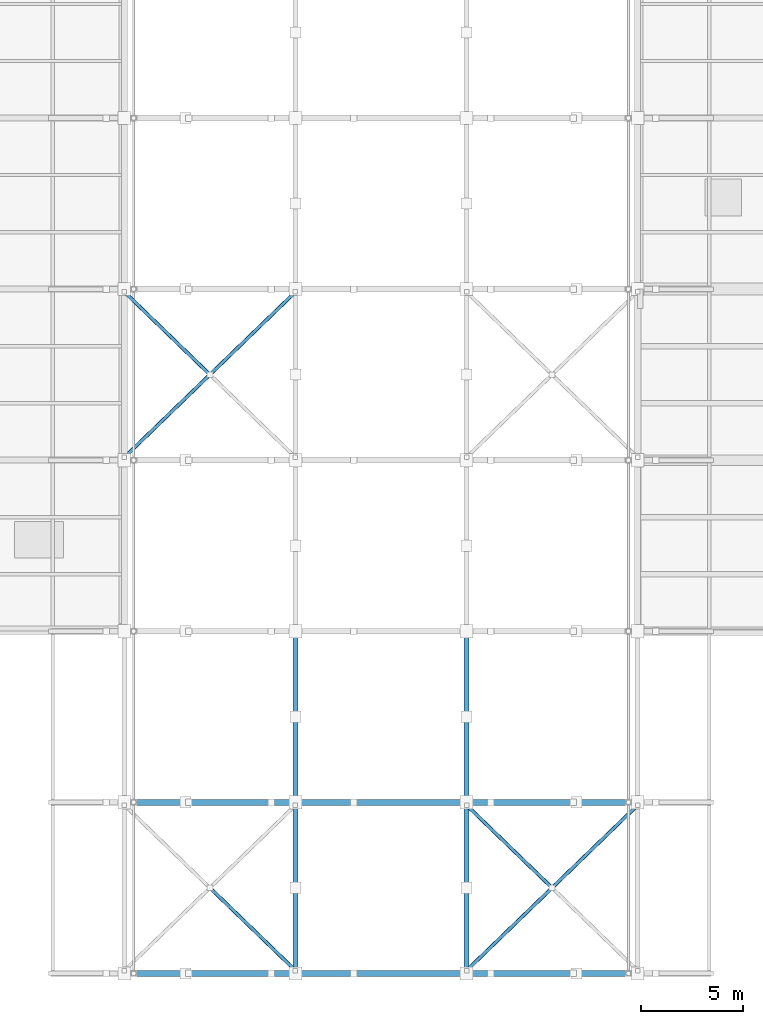
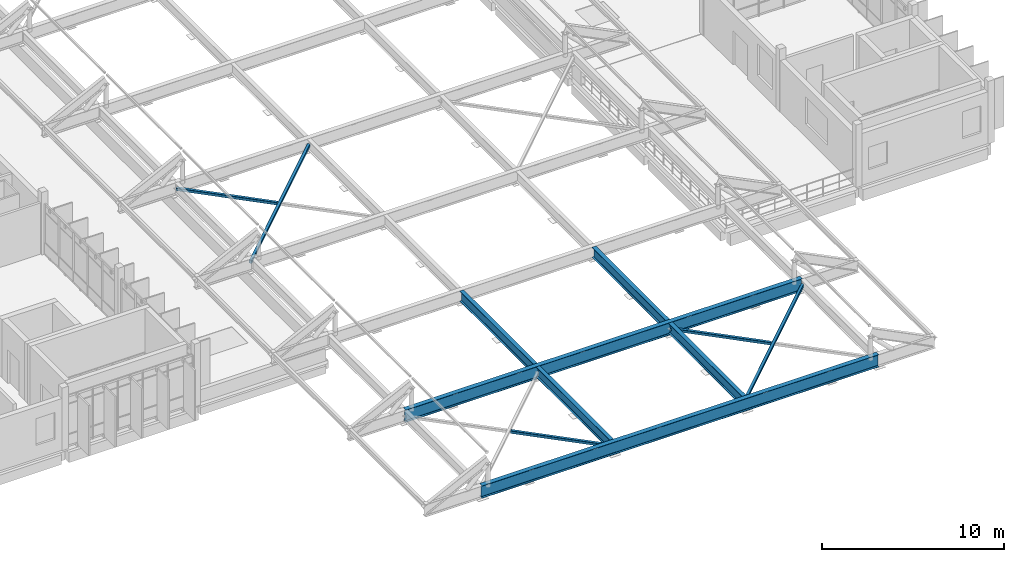
# One storey, part 8 of 41: 6 beams, 5 members.
"""IFC4 building model written with IfcOpenShell, lengths in metres."""

from ifc_helpers import new_model, si_unit, direction, frame, origin, origin_2d, place, context, subcontext, project, spatial, hollow_rectangle, i_section, extrude, material, material_profile, profile_set, type_object, element, save


model = new_model("IFC4")

# Units and contexts
model_context = context("Model", 3, precision=1e-05, world=origin(), true_north=direction((0.0, 1.0)))
body_context = subcontext(model_context, "Body", "Model", "MODEL_VIEW")
ifc_project = project(units=[si_unit("LENGTHUNIT", "METRE"), si_unit("AREAUNIT", "SQUARE_METRE"), si_unit("VOLUMEUNIT", "CUBIC_METRE"), si_unit("PLANEANGLEUNIT", "RADIAN"), si_unit("MASSUNIT", "GRAM", prefix="KILO")], contexts=[model_context])

# Site, building, storey
site_placement = place(None, origin())
site = spatial("IfcSite", under=ifc_project, at=site_placement, CompositionType="ELEMENT")
building_placement = place(site_placement, origin())
building = spatial("IfcBuilding", under=site, at=building_placement, Name="Vireocrest Preparatory School", CompositionType="ELEMENT")
storey_placement = place(building_placement, frame((0.0, 0.0, 21.60009765625)))
storey = spatial("IfcBuildingStorey", under=building, at=storey_placement, Name="L05", CompositionType="ELEMENT", Elevation=21.60009765625)

# Beams
ifc_material_1 = material(Name="Structural steel ASTM A992 Grade 50", Category="steel")
ifc_material_profile_1 = material_profile(ifc_material_1, i_section(OverallWidth=0.25390625, OverallDepth=0.68408203125, WebThickness=0.012451171875, FlangeThickness=0.018798828125, FilletRadius=0.01806640625, at=origin_2d()), Name="W27X94")
ifc_profile_set_1 = profile_set([ifc_material_profile_1], Name="Structural steel ASTM A992 Grade 50")
beam_type_1 = type_object("IfcBeamType", Name="Bridge Primary Steel Girder W27X94", PredefinedType="BEAM", material=ifc_profile_set_1)
for number, where, z_axis, x_axis, name in (
    (1, (75.60009765625, 27.14404296875, 1.492919921875), (0.0, 1.0, 0.0), (-1.0, 0.0, 0.0), "Canopy Longitudinal Beam WT-1"),
    (2, (84.0, 27.14404296875, 1.492919921875), (0.0, 1.0, 0.0), (-1.0, 0.0, 0.0), "Canopy Longitudinal Beam ET-1"),
    (3, (75.60009765625, 35.5439453125, 1.492919921875), (0.0, 1.0, 0.0), (-1.0, 0.0, 0.0), "Canopy Longitudinal Beam WT-2"),
    (4, (84.0, 35.5439453125, 1.492919921875), (0.0, 1.0, 0.0), (-1.0, 0.0, 0.0), "Canopy Longitudinal Beam ET-2"),
):
    element("IfcBeam", number, at=place(storey_placement, frame(where, z_axis=z_axis, x_axis=x_axis)), inside=storey, type_object=beam_type_1, Name=name, PredefinedType="BEAM", context=body_context, shape_type="SweptSolid", body=[
        extrude(i_section(OverallWidth=0.25390625, OverallDepth=0.68408203125, WebThickness=0.012451171875, FlangeThickness=0.018798828125, FilletRadius=0.01806640625, at=origin_2d()), origin(), (0.0, 0.0, 1.0), 8.112060546875),
    ])

# Members
ifc_material_2 = material(Name="Painted white steel ASTM A500 Grade C", Category="steel")
ifc_material_profile_2 = material_profile(ifc_material_2, hollow_rectangle(XDim=0.177734375, YDim=0.177734375, WallThickness=0.0087890625, InnerFilletRadius=0.0087890625, OuterFilletRadius=0.017822265625, at=origin_2d()), Name="HSS7X7X3/8")
ifc_profile_set_2 = profile_set([ifc_material_profile_2], Name="Painted white steel ASTM A500 Grade C")
member_type = type_object("IfcMemberType", Name="Canopy Plane Wind Brace HSS7X7X3/8", PredefinedType="BRACE", material=ifc_profile_set_2)
member_1_placement = place(storey_placement, frame((71.486328125, 31.11669921875, 1.41748046875), z_axis=(0.718974161038, -0.69503680173, 0.0), x_axis=(0.69503680173, 0.718974161038, 0.0)))
element("IfcMember", 5, at=member_1_placement, inside=storey, type_object=member_type, Name="Canopy Split Wind X-Brace BR2-1-W-2", PredefinedType="BRACE", context=body_context, shape_type="SweptSolid", body=[
    extrude(hollow_rectangle(XDim=0.177734375, YDim=0.177734375, WallThickness=0.0087890625, InnerFilletRadius=0.0087890625, OuterFilletRadius=0.017822265625, at=origin_2d()), origin(), (0.0, 0.0, 1.0), 5.7216796875),
])
member_2_placement = place(storey_placement, frame((84.0, 27.139892578125, 1.41748046875), z_axis=(0.718979325859, 0.695031458991, 0.0), x_axis=(-0.695031458991, 0.718979325859, 0.0)))
element("IfcMember", 6, at=member_2_placement, inside=storey, type_object=member_type, Name="Canopy Wind Brace BR2-1-E", PredefinedType="BRACE", context=body_context, shape_type="SweptSolid", body=[
    extrude(hollow_rectangle(XDim=0.177734375, YDim=0.177734375, WallThickness=0.0087890625, InnerFilletRadius=0.0087890625, OuterFilletRadius=0.017822265625, at=origin_2d()), origin(), (0.0, 0.0, 1.0), 11.68310546875),
])
member_3_placement = place(storey_placement, frame((84.0, 35.260009765625, 1.41748046875), z_axis=(0.718995483653, -0.695014744079, 0.0), x_axis=(0.695014744079, 0.718995483653, 0.0)))
element("IfcMember", 7, at=member_3_placement, inside=storey, type_object=member_type, Name="Canopy Split Wind X-Brace BR2-1-E-1", PredefinedType="BRACE", context=body_context, shape_type="SweptSolid", body=[
    extrude(hollow_rectangle(XDim=0.177734375, YDim=0.177734375, WallThickness=0.0087890625, InnerFilletRadius=0.0087890625, OuterFilletRadius=0.017822265625, at=origin_2d()), origin(), (0.0, 0.0, 1.0), 5.721435546875),
])
member_4_placement = place(storey_placement, frame((67.199951171875, 52.340087890625, 1.41748046875), z_axis=(0.718999862648, 0.695010213963, 0.0), x_axis=(-0.695010213963, 0.718999862648, 0.0)))
element("IfcMember", 8, at=member_4_placement, inside=storey, type_object=member_type, Name="Canopy Wind Brace BR2-4-W", PredefinedType="BRACE", context=body_context, shape_type="SweptSolid", body=[
    extrude(hollow_rectangle(XDim=0.177734375, YDim=0.177734375, WallThickness=0.0087890625, InnerFilletRadius=0.0087890625, OuterFilletRadius=0.017822265625, at=origin_2d()), origin(), (0.0, 0.0, 1.0), 11.68310546875),
])
member_5_placement = place(storey_placement, frame((67.199951171875, 60.4599609375, 1.41748046875), z_axis=(0.718995483653, -0.695014744079, 0.0), x_axis=(0.695014744079, 0.718995483653, 0.0)))
element("IfcMember", 9, at=member_5_placement, inside=storey, type_object=member_type, Name="Canopy Split Wind X-Brace BR2-4-W-1", PredefinedType="BRACE", context=body_context, shape_type="SweptSolid", body=[
    extrude(hollow_rectangle(XDim=0.177734375, YDim=0.177734375, WallThickness=0.0087890625, InnerFilletRadius=0.0087890625, OuterFilletRadius=0.017822265625, at=origin_2d()), origin(), (0.0, 0.0, 1.0), 5.721435546875),
])

# Beams
ifc_material_profile_3 = material_profile(ifc_material_1, i_section(OverallWidth=0.2919921875, OverallDepth=0.8349609375, WebThickness=0.013916015625, FlangeThickness=0.018798828125, FilletRadius=0.02001953125, at=origin_2d()), Name="W33X118")
ifc_profile_set_3 = profile_set([ifc_material_profile_3], Name="Structural steel ASTM A992 Grade 50")
beam_type_2 = type_object("IfcBeamType", Name="Central Court Canopy Primary Girder W33X118", PredefinedType="BEAM", material=ifc_profile_set_3)
for number, where, z_axis, x_axis, name in (
    (10, (67.199951171875, 27.0, 1.41748046875), (1.0, 0.0, 0.0), (0.0, 1.0, 0.0), "Central Court Canopy Primary Girder CG1-1C"),
    (11, (67.199951171875, 35.39990234375, 1.41748046875), (1.0, 0.0, 0.0), (0.0, 1.0, 0.0), "Central Court Canopy Primary Girder CG1-2C"),
):
    element("IfcBeam", number, at=place(storey_placement, frame(where, z_axis=z_axis, x_axis=x_axis)), inside=storey, type_object=beam_type_2, Name=name, PredefinedType="BEAM", context=body_context, shape_type="SweptSolid", body=[
        extrude(i_section(OverallWidth=0.2919921875, OverallDepth=0.8349609375, WebThickness=0.013916015625, FlangeThickness=0.018798828125, FilletRadius=0.02001953125, at=origin_2d()), origin(), (0.0, 0.0, 1.0), 25.199951171875),
    ])

save(model, "model.ifc")
